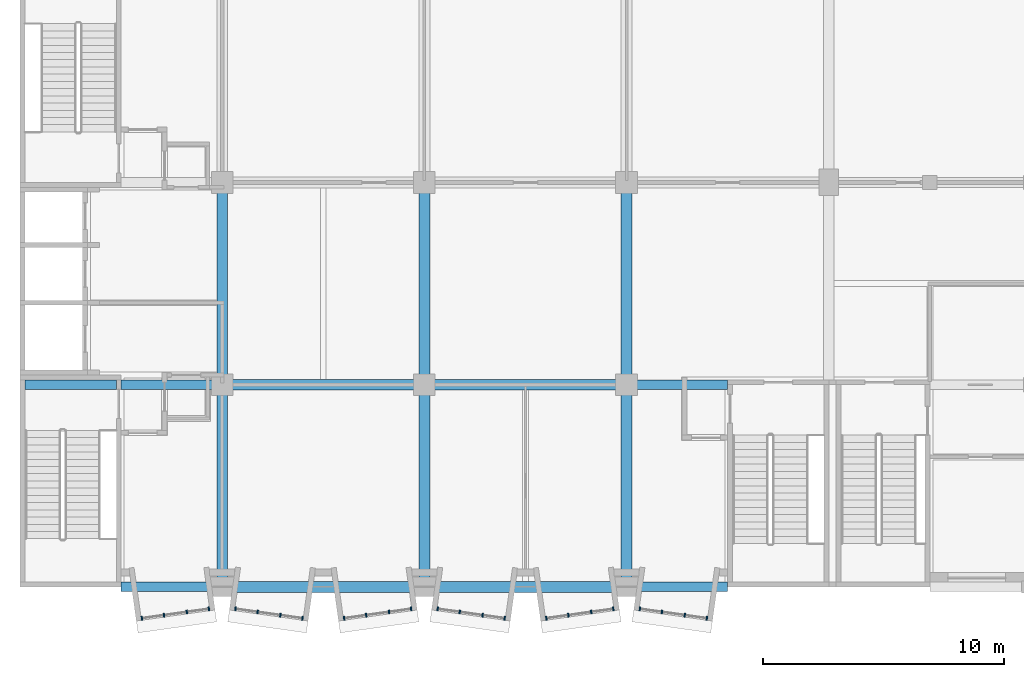
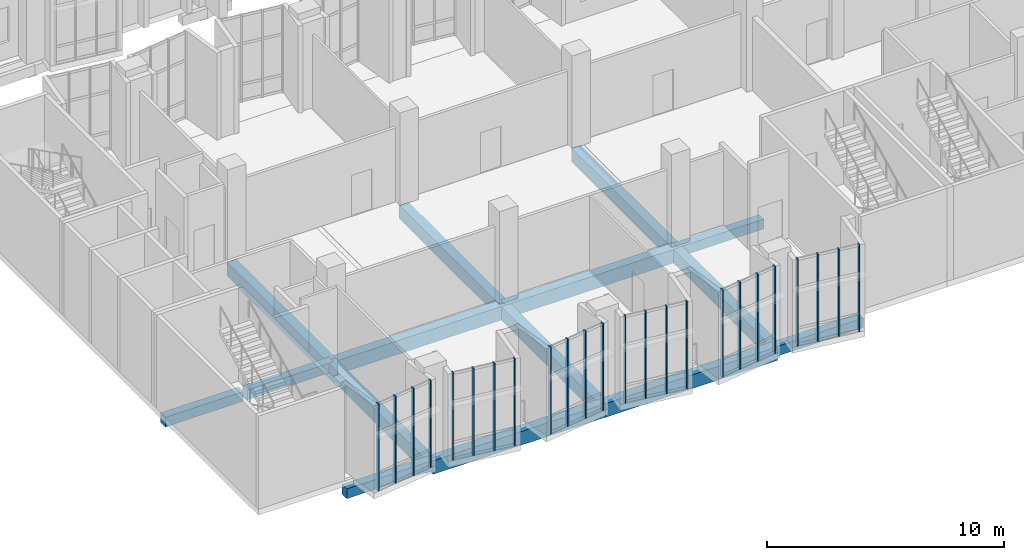
# One storey, part 3 of 91: 24 members, 15 beams, 6 elements without a shape of their own.
"""IFC4 building model written with IfcOpenShell, lengths in metres."""

from ifc_helpers import new_model, si_unit, direction, frame, origin, origin_2d, place, context, subcontext, project, spatial, rectangle, extrude, material, layer, layer_set, material_profile, profile_set, type_object, element, aggregate, save


model = new_model("IFC4")

# Units and contexts
model_context = context("Model", 3, precision=1e-05, world=origin(), true_north=direction((0.0, 1.0)))
body_context = subcontext(model_context, "Body", "Model", "MODEL_VIEW")
ifc_project = project(units=[si_unit("LENGTHUNIT", "METRE"), si_unit("AREAUNIT", "SQUARE_METRE"), si_unit("VOLUMEUNIT", "CUBIC_METRE"), si_unit("PLANEANGLEUNIT", "RADIAN"), si_unit("MASSUNIT", "GRAM", prefix="KILO")], contexts=[model_context])

# Site, building, storey
site_placement = place(None, origin())
site = spatial("IfcSite", under=ifc_project, at=site_placement, CompositionType="ELEMENT")
building_placement = place(site_placement, origin())
building = spatial("IfcBuilding", under=site, at=building_placement, Name="Kiln Court Media Centre", CompositionType="ELEMENT")
storey_placement = place(building_placement, frame((0.0, 0.0, 5.39990234375)))
storey = spatial("IfcBuildingStorey", under=building, at=storey_placement, Name="L01", CompositionType="ELEMENT", Elevation=5.39990234375)

# Curtain wall, members
ifc_material_1 = material(Name="Aluminium 6063-T6", Category="aluminium")
ifc_layer = layer(ifc_material_1, 0.1201171875)
ifc_layer_set = layer_set([ifc_layer], Name="Aluminium unitised bay curtain wall")
curtain_wall_type = type_object("IfcCurtainWallType", Name="Aluminium unitised bay curtain wall", PredefinedType="USERDEFINED", material=ifc_layer_set)
curtain_wall_1_placement = place(storey_placement, origin())
curtain_wall_1 = element("IfcCurtainWall", 1, at=curtain_wall_1_placement, inside=storey, type_object=curtain_wall_type, Name="BAY V6A-S-L01-02 front", ObjectType="UNITISED CURTAIN WALL", PredefinedType="USERDEFINED")
ifc_material_2 = material(Name="Aluminium 6063-T6", Category="aluminium")
ifc_material_profile_1 = material_profile(ifc_material_2, rectangle(XDim=0.06005859375, YDim=0.159912109375, at=origin_2d()), Name="Aluminium mullion 60x160")
ifc_profile_set_1 = profile_set([ifc_material_profile_1], Name="Aluminium 6063-T6")
member_type = type_object("IfcMemberType", Name="Aluminium mullion 60x160", PredefinedType="MULLION", material=ifc_profile_set_1)
member_1_placement = place(storey_placement, frame((5.064453125, -1.3046875, 0.0), z_axis=(0.0, 0.0, 1.0), x_axis=(0.990269562409, 0.139162472554, 0.0)))
member_1 = element("IfcMember", 2, at=member_1_placement, type_object=member_type, Name="CW1-10 mullion 1", PredefinedType="MULLION", context=body_context, shape_type="SweptSolid", body=[
    extrude(rectangle(XDim=0.06005859375, YDim=0.159912109375, at=origin_2d()), origin(), (0.0, 0.0, 1.0), 4.5),
])
member_2_placement = place(storey_placement, frame((5.982177734375, -1.17578125, 0.0), z_axis=(0.0, 0.0, 1.0), x_axis=(0.990269562409, 0.139162472554, 0.0)))
member_2 = element("IfcMember", 3, at=member_2_placement, type_object=member_type, Name="CW1-10 mullion 2", PredefinedType="MULLION", context=body_context, shape_type="SweptSolid", body=[
    extrude(rectangle(XDim=0.06005859375, YDim=0.159912109375, at=origin_2d()), origin(), (0.0, 0.0, 1.0), 4.5),
])
member_3_placement = place(storey_placement, frame((6.929443359375, -1.04248046875, 0.0), z_axis=(0.0, 0.0, 1.0), x_axis=(0.990269562409, 0.139162472554, 0.0)))
member_3 = element("IfcMember", 4, at=member_3_placement, type_object=member_type, Name="CW1-10 mullion 3", PredefinedType="MULLION", context=body_context, shape_type="SweptSolid", body=[
    extrude(rectangle(XDim=0.06005859375, YDim=0.159912109375, at=origin_2d()), origin(), (0.0, 0.0, 1.0), 4.5),
])
member_4_placement = place(storey_placement, frame((7.84716796875, -0.91357421875, 0.0), z_axis=(0.0, 0.0, 1.0), x_axis=(0.990269562409, 0.139162472554, 0.0)))
member_4 = element("IfcMember", 5, at=member_4_placement, type_object=member_type, Name="CW1-10 mullion 4", PredefinedType="MULLION", context=body_context, shape_type="SweptSolid", body=[
    extrude(rectangle(XDim=0.06005859375, YDim=0.159912109375, at=origin_2d()), origin(), (0.0, 0.0, 1.0), 4.5),
])
aggregate(curtain_wall_1, [member_1, member_2, member_3, member_4])

curtain_wall_2_placement = place(storey_placement, origin())
curtain_wall_2 = element("IfcCurtainWall", 6, at=curtain_wall_2_placement, inside=storey, type_object=curtain_wall_type, Name="BAY V6A-S-L01-03 front", ObjectType="UNITISED CURTAIN WALL", PredefinedType="USERDEFINED")
member_5_placement = place(storey_placement, frame((8.952880859375, -0.91357421875, 0.0), z_axis=(0.0, 0.0, 1.0), x_axis=(0.990269562409, -0.139162472554, 0.0)))
member_5 = element("IfcMember", 7, at=member_5_placement, type_object=member_type, Name="CW1-11 mullion 1", PredefinedType="MULLION", context=body_context, shape_type="SweptSolid", body=[
    extrude(rectangle(XDim=0.06005859375, YDim=0.159912109375, at=origin_2d()), origin(), (0.0, 0.0, 1.0), 4.5),
])
member_6_placement = place(storey_placement, frame((9.870361328125, -1.04248046875, 0.0), z_axis=(0.0, 0.0, 1.0), x_axis=(0.990269562409, -0.139162472554, 0.0)))
member_6 = element("IfcMember", 8, at=member_6_placement, type_object=member_type, Name="CW1-11 mullion 2", PredefinedType="MULLION", context=body_context, shape_type="SweptSolid", body=[
    extrude(rectangle(XDim=0.06005859375, YDim=0.159912109375, at=origin_2d()), origin(), (0.0, 0.0, 1.0), 4.5),
])
member_7_placement = place(storey_placement, frame((10.81787109375, -1.17578125, 0.0), z_axis=(0.0, 0.0, 1.0), x_axis=(0.990269562409, -0.139162472554, 0.0)))
member_7 = element("IfcMember", 9, at=member_7_placement, type_object=member_type, Name="CW1-11 mullion 3", PredefinedType="MULLION", context=body_context, shape_type="SweptSolid", body=[
    extrude(rectangle(XDim=0.06005859375, YDim=0.159912109375, at=origin_2d()), origin(), (0.0, 0.0, 1.0), 4.5),
])
member_8_placement = place(storey_placement, frame((11.735595703125, -1.3046875, 0.0), z_axis=(0.0, 0.0, 1.0), x_axis=(0.990269562409, -0.139162472554, 0.0)))
member_8 = element("IfcMember", 10, at=member_8_placement, type_object=member_type, Name="CW1-11 mullion 4", PredefinedType="MULLION", context=body_context, shape_type="SweptSolid", body=[
    extrude(rectangle(XDim=0.06005859375, YDim=0.159912109375, at=origin_2d()), origin(), (0.0, 0.0, 1.0), 4.5),
])
aggregate(curtain_wall_2, [member_5, member_6, member_7, member_8])

curtain_wall_3_placement = place(storey_placement, origin())
curtain_wall_3 = element("IfcCurtainWall", 11, at=curtain_wall_3_placement, inside=storey, type_object=curtain_wall_type, Name="BAY V6A-S-L01-04 front", ObjectType="UNITISED CURTAIN WALL", PredefinedType="USERDEFINED")
member_9_placement = place(storey_placement, frame((13.464599609375, -1.3046875, 0.0), z_axis=(0.0, 0.0, 1.0), x_axis=(0.990269562409, 0.139162472554, 0.0)))
member_9 = element("IfcMember", 12, at=member_9_placement, type_object=member_type, Name="CW1-12 mullion 1", PredefinedType="MULLION", context=body_context, shape_type="SweptSolid", body=[
    extrude(rectangle(XDim=0.06005859375, YDim=0.159912109375, at=origin_2d()), origin(), (0.0, 0.0, 1.0), 4.5),
])
member_10_placement = place(storey_placement, frame((14.382080078125, -1.17578125, 0.0), z_axis=(0.0, 0.0, 1.0), x_axis=(0.990269562409, 0.139162472554, 0.0)))
member_10 = element("IfcMember", 13, at=member_10_placement, type_object=member_type, Name="CW1-12 mullion 2", PredefinedType="MULLION", context=body_context, shape_type="SweptSolid", body=[
    extrude(rectangle(XDim=0.06005859375, YDim=0.159912109375, at=origin_2d()), origin(), (0.0, 0.0, 1.0), 4.5),
])
member_11_placement = place(storey_placement, frame((15.32958984375, -1.04248046875, 0.0), z_axis=(0.0, 0.0, 1.0), x_axis=(0.990269562409, 0.139162472554, 0.0)))
member_11 = element("IfcMember", 14, at=member_11_placement, type_object=member_type, Name="CW1-12 mullion 3", PredefinedType="MULLION", context=body_context, shape_type="SweptSolid", body=[
    extrude(rectangle(XDim=0.06005859375, YDim=0.159912109375, at=origin_2d()), origin(), (0.0, 0.0, 1.0), 4.5),
])
member_12_placement = place(storey_placement, frame((16.2470703125, -0.91357421875, 0.0), z_axis=(0.0, 0.0, 1.0), x_axis=(0.990269562409, 0.139162472554, 0.0)))
member_12 = element("IfcMember", 15, at=member_12_placement, type_object=member_type, Name="CW1-12 mullion 4", PredefinedType="MULLION", context=body_context, shape_type="SweptSolid", body=[
    extrude(rectangle(XDim=0.06005859375, YDim=0.159912109375, at=origin_2d()), origin(), (0.0, 0.0, 1.0), 4.5),
])
aggregate(curtain_wall_3, [member_9, member_10, member_11, member_12])

curtain_wall_4_placement = place(storey_placement, origin())
curtain_wall_4 = element("IfcCurtainWall", 16, at=curtain_wall_4_placement, inside=storey, type_object=curtain_wall_type, Name="BAY V6A-S-L01-05 front", ObjectType="UNITISED CURTAIN WALL", PredefinedType="USERDEFINED")
member_13_placement = place(storey_placement, frame((17.352783203125, -0.91357421875, 0.0), z_axis=(0.0, 0.0, 1.0), x_axis=(0.990269562409, -0.139162472554, 0.0)))
member_13 = element("IfcMember", 17, at=member_13_placement, type_object=member_type, Name="CW1-13 mullion 1", PredefinedType="MULLION", context=body_context, shape_type="SweptSolid", body=[
    extrude(rectangle(XDim=0.06005859375, YDim=0.159912109375, at=origin_2d()), origin(), (0.0, 0.0, 1.0), 4.5),
])
member_14_placement = place(storey_placement, frame((18.2705078125, -1.04248046875, 0.0), z_axis=(0.0, 0.0, 1.0), x_axis=(0.990269562409, -0.139162472554, 0.0)))
member_14 = element("IfcMember", 18, at=member_14_placement, type_object=member_type, Name="CW1-13 mullion 2", PredefinedType="MULLION", context=body_context, shape_type="SweptSolid", body=[
    extrude(rectangle(XDim=0.06005859375, YDim=0.159912109375, at=origin_2d()), origin(), (0.0, 0.0, 1.0), 4.5),
])
member_15_placement = place(storey_placement, frame((19.2177734375, -1.17578125, 0.0), z_axis=(0.0, 0.0, 1.0), x_axis=(0.990269562409, -0.139162472554, 0.0)))
member_15 = element("IfcMember", 19, at=member_15_placement, type_object=member_type, Name="CW1-13 mullion 3", PredefinedType="MULLION", context=body_context, shape_type="SweptSolid", body=[
    extrude(rectangle(XDim=0.06005859375, YDim=0.159912109375, at=origin_2d()), origin(), (0.0, 0.0, 1.0), 4.5),
])
member_16_placement = place(storey_placement, frame((20.135498046875, -1.3046875, 0.0), z_axis=(0.0, 0.0, 1.0), x_axis=(0.990269562409, -0.139162472554, 0.0)))
member_16 = element("IfcMember", 20, at=member_16_placement, type_object=member_type, Name="CW1-13 mullion 4", PredefinedType="MULLION", context=body_context, shape_type="SweptSolid", body=[
    extrude(rectangle(XDim=0.06005859375, YDim=0.159912109375, at=origin_2d()), origin(), (0.0, 0.0, 1.0), 4.5),
])
aggregate(curtain_wall_4, [member_13, member_14, member_15, member_16])

curtain_wall_5_placement = place(storey_placement, origin())
curtain_wall_5 = element("IfcCurtainWall", 21, at=curtain_wall_5_placement, inside=storey, type_object=curtain_wall_type, Name="BAY V6A-S-L01-06 front", ObjectType="UNITISED CURTAIN WALL", PredefinedType="USERDEFINED")
member_17_placement = place(storey_placement, frame((21.864501953125, -1.3046875, 0.0), z_axis=(0.0, 0.0, 1.0), x_axis=(0.990269562409, 0.139162472554, 0.0)))
member_17 = element("IfcMember", 22, at=member_17_placement, type_object=member_type, Name="CW1-14 mullion 1", PredefinedType="MULLION", context=body_context, shape_type="SweptSolid", body=[
    extrude(rectangle(XDim=0.06005859375, YDim=0.159912109375, at=origin_2d()), origin(), (0.0, 0.0, 1.0), 4.5),
])
member_18_placement = place(storey_placement, frame((22.7822265625, -1.17578125, 0.0), z_axis=(0.0, 0.0, 1.0), x_axis=(0.990269562409, 0.139162472554, 0.0)))
member_18 = element("IfcMember", 23, at=member_18_placement, type_object=member_type, Name="CW1-14 mullion 2", PredefinedType="MULLION", context=body_context, shape_type="SweptSolid", body=[
    extrude(rectangle(XDim=0.06005859375, YDim=0.159912109375, at=origin_2d()), origin(), (0.0, 0.0, 1.0), 4.5),
])
member_19_placement = place(storey_placement, frame((23.7294921875, -1.04248046875, 0.0), z_axis=(0.0, 0.0, 1.0), x_axis=(0.990269562409, 0.139162472554, 0.0)))
member_19 = element("IfcMember", 24, at=member_19_placement, type_object=member_type, Name="CW1-14 mullion 3", PredefinedType="MULLION", context=body_context, shape_type="SweptSolid", body=[
    extrude(rectangle(XDim=0.06005859375, YDim=0.159912109375, at=origin_2d()), origin(), (0.0, 0.0, 1.0), 4.5),
])
member_20_placement = place(storey_placement, frame((24.647216796875, -0.91357421875, 0.0), z_axis=(0.0, 0.0, 1.0), x_axis=(0.990269562409, 0.139162472554, 0.0)))
member_20 = element("IfcMember", 25, at=member_20_placement, type_object=member_type, Name="CW1-14 mullion 4", PredefinedType="MULLION", context=body_context, shape_type="SweptSolid", body=[
    extrude(rectangle(XDim=0.06005859375, YDim=0.159912109375, at=origin_2d()), origin(), (0.0, 0.0, 1.0), 4.5),
])
aggregate(curtain_wall_5, [member_17, member_18, member_19, member_20])

curtain_wall_6_placement = place(storey_placement, origin())
curtain_wall_6 = element("IfcCurtainWall", 26, at=curtain_wall_6_placement, inside=storey, type_object=curtain_wall_type, Name="BAY V6A-S-L01-07 front", ObjectType="UNITISED CURTAIN WALL", PredefinedType="USERDEFINED")
member_21_placement = place(storey_placement, frame((25.7529296875, -0.91357421875, 0.0), z_axis=(0.0, 0.0, 1.0), x_axis=(0.990269562409, -0.139162472554, 0.0)))
member_21 = element("IfcMember", 27, at=member_21_placement, type_object=member_type, Name="CW1-15 mullion 1", PredefinedType="MULLION", context=body_context, shape_type="SweptSolid", body=[
    extrude(rectangle(XDim=0.06005859375, YDim=0.159912109375, at=origin_2d()), origin(), (0.0, 0.0, 1.0), 4.5),
])
member_22_placement = place(storey_placement, frame((26.67041015625, -1.04248046875, 0.0), z_axis=(0.0, 0.0, 1.0), x_axis=(0.990269562409, -0.139162472554, 0.0)))
member_22 = element("IfcMember", 28, at=member_22_placement, type_object=member_type, Name="CW1-15 mullion 2", PredefinedType="MULLION", context=body_context, shape_type="SweptSolid", body=[
    extrude(rectangle(XDim=0.06005859375, YDim=0.159912109375, at=origin_2d()), origin(), (0.0, 0.0, 1.0), 4.5),
])
member_23_placement = place(storey_placement, frame((27.617919921875, -1.17578125, 0.0), z_axis=(0.0, 0.0, 1.0), x_axis=(0.990269562409, -0.139162472554, 0.0)))
member_23 = element("IfcMember", 29, at=member_23_placement, type_object=member_type, Name="CW1-15 mullion 3", PredefinedType="MULLION", context=body_context, shape_type="SweptSolid", body=[
    extrude(rectangle(XDim=0.06005859375, YDim=0.159912109375, at=origin_2d()), origin(), (0.0, 0.0, 1.0), 4.5),
])
member_24_placement = place(storey_placement, frame((28.535400390625, -1.3046875, 0.0), z_axis=(0.0, 0.0, 1.0), x_axis=(0.990269562409, -0.139162472554, 0.0)))
member_24 = element("IfcMember", 30, at=member_24_placement, type_object=member_type, Name="CW1-15 mullion 4", PredefinedType="MULLION", context=body_context, shape_type="SweptSolid", body=[
    extrude(rectangle(XDim=0.06005859375, YDim=0.159912109375, at=origin_2d()), origin(), (0.0, 0.0, 1.0), 4.5),
])
aggregate(curtain_wall_6, [member_21, member_22, member_23, member_24])

# Beams
ifc_material_3 = material(Name="Concrete C30/37", Category="concrete")
ifc_material_profile_2 = material_profile(ifc_material_3, rectangle(XDim=0.39990234375, YDim=0.5, at=origin_2d()), Name="RC 400x500")
ifc_profile_set_2 = profile_set([ifc_material_profile_2], Name="Concrete C30/37")
beam_type_1 = type_object("IfcBeamType", Name="Concrete C30/37 beam 400x500", PredefinedType="BEAM", material=ifc_profile_set_2)
for number, where, z_axis, x_axis, name in (
    (31, (4.199951171875, 0.0, -0.5498046875), (1.0, 0.0, 0.0), (0.0, 1.0, 0.0), "L01-B-1011"),
    (32, (25.199951171875, 0.0, -0.5498046875), (1.0, 0.0, 0.0), (0.0, 1.0, 0.0), "L01-B-1014"),
):
    element("IfcBeam", number, at=place(storey_placement, frame(where, z_axis=z_axis, x_axis=x_axis)), inside=storey, type_object=beam_type_1, Name=name, PredefinedType="BEAM", context=body_context, shape_type="SweptSolid", body=[
        extrude(rectangle(XDim=0.39990234375, YDim=0.5, at=origin_2d()), origin(), (0.0, 0.0, 1.0), 4.199951171875),
    ])
beam_1_placement = place(storey_placement, frame((0.199951171875, 8.39990234375, -0.5498046875), z_axis=(1.0, 0.0, 0.0), x_axis=(0.0, 1.0, 0.0)))
element("IfcBeam", 33, at=beam_1_placement, inside=storey, type_object=beam_type_1, Name="L01-B-1015", PredefinedType="BEAM", context=body_context, shape_type="SweptSolid", body=[
    extrude(rectangle(XDim=0.39990234375, YDim=0.5, at=origin_2d()), origin(), (0.0, 0.0, 1.0), 3.800048828125),
])
for number, where, z_axis, x_axis, name in (
    (34, (4.199951171875, 8.39990234375, -0.5498046875), (1.0, 0.0, 0.0), (0.0, 1.0, 0.0), "L01-B-1016"),
    (35, (25.199951171875, 8.39990234375, -0.5498046875), (1.0, 0.0, 0.0), (0.0, 1.0, 0.0), "L01-B-1019"),
):
    element("IfcBeam", number, at=place(storey_placement, frame(where, z_axis=z_axis, x_axis=x_axis)), inside=storey, type_object=beam_type_1, Name=name, PredefinedType="BEAM", context=body_context, shape_type="SweptSolid", body=[
        extrude(rectangle(XDim=0.39990234375, YDim=0.5, at=origin_2d()), origin(), (0.0, 0.0, 1.0), 4.199951171875),
    ])
ifc_material_4 = material(Name="Concrete C30/37", Category="concrete")
ifc_material_profile_3 = material_profile(ifc_material_4, rectangle(XDim=0.449951171875, YDim=0.699951171875, at=origin_2d()), Name="RC 450x700")
ifc_profile_set_3 = profile_set([ifc_material_profile_3], Name="Concrete C30/37")
beam_type_2 = type_object("IfcBeamType", Name="Concrete C30/37 beam 450x700", PredefinedType="BEAM", material=ifc_profile_set_3)
beam_2_placement = place(storey_placement, frame((8.39990234375, 0.0, -0.64990234375), z_axis=(0.0, 1.0, 0.0), x_axis=(-1.0, 0.0, 0.0)))
element("IfcBeam", 36, at=beam_2_placement, inside=storey, type_object=beam_type_2, Name="L01-B-1000", PredefinedType="BEAM", context=body_context, shape_type="SweptSolid", body=[
    extrude(rectangle(XDim=0.449951171875, YDim=0.699951171875, at=origin_2d()), origin(), (0.0, 0.0, 1.0), 8.39990234375),
])
beam_3_placement = place(storey_placement, frame((8.39990234375, 8.39990234375, -0.64990234375), z_axis=(0.0, 1.0, 0.0), x_axis=(-1.0, 0.0, 0.0)))
element("IfcBeam", 37, at=beam_3_placement, inside=storey, type_object=beam_type_2, Name="L01-B-1001", PredefinedType="BEAM", context=body_context, shape_type="SweptSolid", body=[
    extrude(rectangle(XDim=0.449951171875, YDim=0.699951171875, at=origin_2d()), origin(), (0.0, 0.0, 1.0), 8.400146484375),
])
beam_4_placement = place(storey_placement, frame((16.800048828125, 0.0, -0.64990234375), z_axis=(0.0, 1.0, 0.0), x_axis=(-1.0, 0.0, 0.0)))
element("IfcBeam", 38, at=beam_4_placement, inside=storey, type_object=beam_type_2, Name="L01-B-1003", PredefinedType="BEAM", context=body_context, shape_type="SweptSolid", body=[
    extrude(rectangle(XDim=0.449951171875, YDim=0.699951171875, at=origin_2d()), origin(), (0.0, 0.0, 1.0), 8.39990234375),
])
beam_5_placement = place(storey_placement, frame((16.800048828125, 8.39990234375, -0.64990234375), z_axis=(0.0, 1.0, 0.0), x_axis=(-1.0, 0.0, 0.0)))
element("IfcBeam", 39, at=beam_5_placement, inside=storey, type_object=beam_type_2, Name="L01-B-1004", PredefinedType="BEAM", context=body_context, shape_type="SweptSolid", body=[
    extrude(rectangle(XDim=0.449951171875, YDim=0.699951171875, at=origin_2d()), origin(), (0.0, 0.0, 1.0), 8.400146484375),
])
beam_6_placement = place(storey_placement, frame((25.199951171875, 0.0, -0.64990234375), z_axis=(0.0, 1.0, 0.0), x_axis=(-1.0, 0.0, 0.0)))
element("IfcBeam", 40, at=beam_6_placement, inside=storey, type_object=beam_type_2, Name="L01-B-1006", PredefinedType="BEAM", context=body_context, shape_type="SweptSolid", body=[
    extrude(rectangle(XDim=0.449951171875, YDim=0.699951171875, at=origin_2d()), origin(), (0.0, 0.0, 1.0), 8.39990234375),
])
for number, where, z_axis, x_axis, name in (
    (41, (25.199951171875, 8.39990234375, -0.64990234375), (0.0, 1.0, 0.0), (-1.0, 0.0, 0.0), "L01-B-1007"),
    (42, (8.39990234375, 0.0, -0.64990234375), (1.0, 0.0, 0.0), (0.0, 1.0, 0.0), "L01-B-1012"),
):
    element("IfcBeam", number, at=place(storey_placement, frame(where, z_axis=z_axis, x_axis=x_axis)), inside=storey, type_object=beam_type_2, Name=name, PredefinedType="BEAM", context=body_context, shape_type="SweptSolid", body=[
        extrude(rectangle(XDim=0.449951171875, YDim=0.699951171875, at=origin_2d()), origin(), (0.0, 0.0, 1.0), 8.400146484375),
    ])
beam_7_placement = place(storey_placement, frame((16.800048828125, 0.0, -0.64990234375), z_axis=(1.0, 0.0, 0.0), x_axis=(0.0, 1.0, 0.0)))
element("IfcBeam", 43, at=beam_7_placement, inside=storey, type_object=beam_type_2, Name="L01-B-1013", PredefinedType="BEAM", context=body_context, shape_type="SweptSolid", body=[
    extrude(rectangle(XDim=0.449951171875, YDim=0.699951171875, at=origin_2d()), origin(), (0.0, 0.0, 1.0), 8.39990234375),
])
beam_8_placement = place(storey_placement, frame((8.39990234375, 8.39990234375, -0.64990234375), z_axis=(1.0, 0.0, 0.0), x_axis=(0.0, 1.0, 0.0)))
element("IfcBeam", 44, at=beam_8_placement, inside=storey, type_object=beam_type_2, Name="L01-B-1017", PredefinedType="BEAM", context=body_context, shape_type="SweptSolid", body=[
    extrude(rectangle(XDim=0.449951171875, YDim=0.699951171875, at=origin_2d()), origin(), (0.0, 0.0, 1.0), 8.400146484375),
])
beam_9_placement = place(storey_placement, frame((16.800048828125, 8.39990234375, -0.64990234375), z_axis=(1.0, 0.0, 0.0), x_axis=(0.0, 1.0, 0.0)))
element("IfcBeam", 45, at=beam_9_placement, inside=storey, type_object=beam_type_2, Name="L01-B-1018", PredefinedType="BEAM", context=body_context, shape_type="SweptSolid", body=[
    extrude(rectangle(XDim=0.449951171875, YDim=0.699951171875, at=origin_2d()), origin(), (0.0, 0.0, 1.0), 8.39990234375),
])

save(model, "model.ifc")
